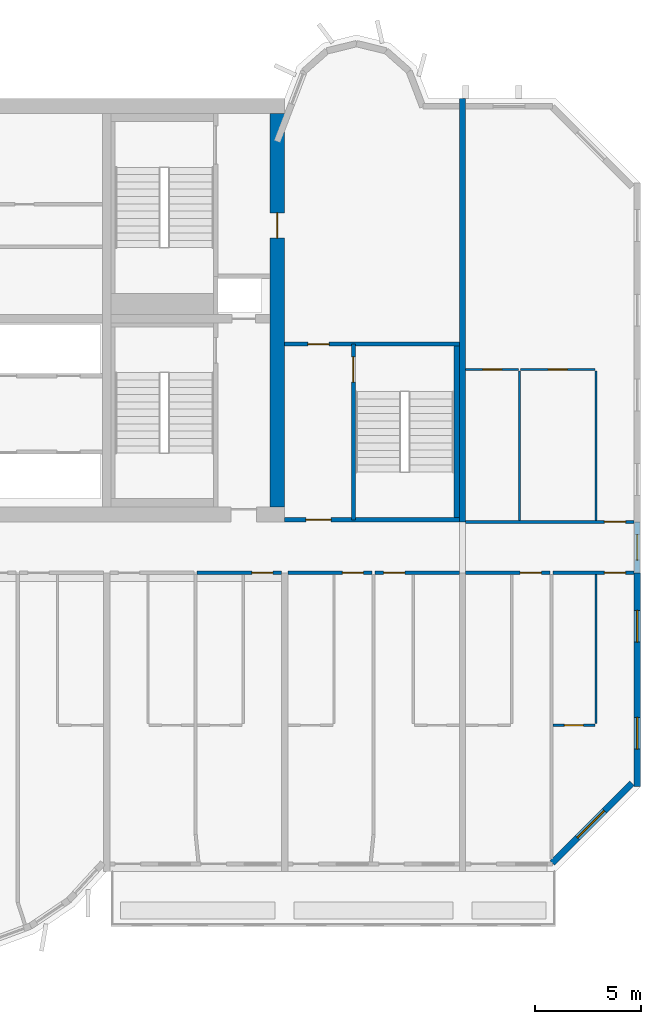
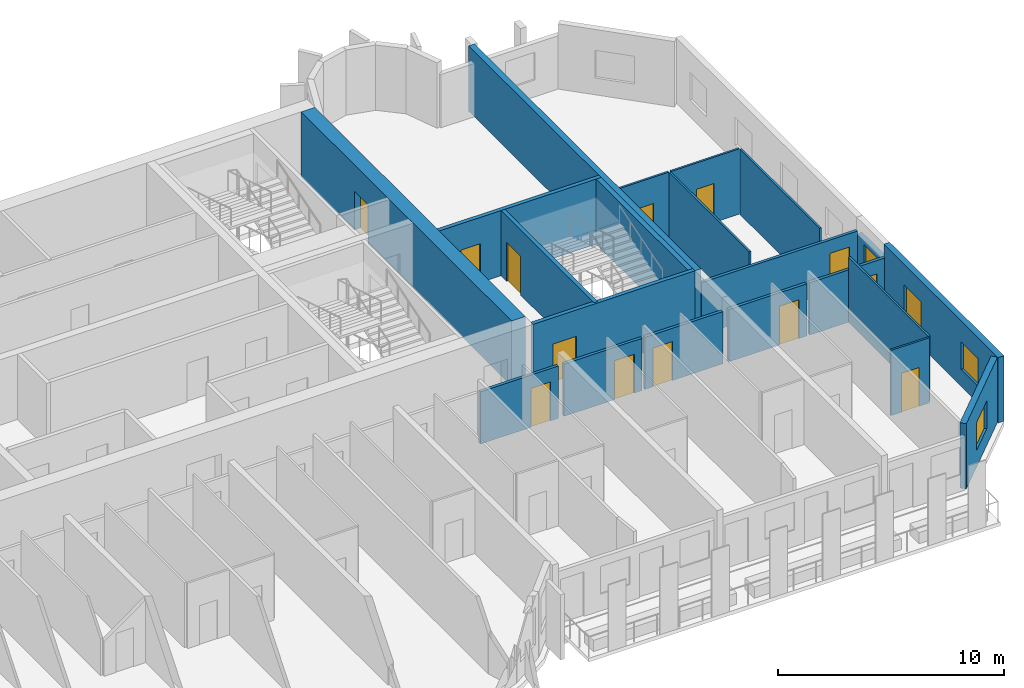
# One storey, part 9 of 13: 21 walls, 13 doors, 4 windows, 17 openings.
"""IFC4 building model written with IfcOpenShell, lengths in metres."""

import ifcopenshell
import ifcopenshell.guid

model = None  # the IFC model being written
_history = None  # IfcOwnerHistory: only IFC2X3 demands one
_inside = {}  # id of a spatial element -> (the spatial element, [elements in it])
_under = {}  # id of a project, library or spatial element -> (it, [spatial elements below it])
_declared = {}  # id of a project -> (the project, [libraries it declares])
_typed = {}  # id of a type object -> (the type object, [elements of that type])
_made_of = {}  # id of a material, layer set ... -> (it, [elements and type objects made of it])


def new_model(schema):
    """Start an empty IFC model of exactly this schema.

    Asked for "IFC4X3", IfcOpenShell would pick the latest addendum, in which some entities
    have other attributes; the version numbers below select the first issue.
    IFC2X3 requires an IfcOwnerHistory on every rooted entity: one is made here for all.
    """
    global model, _history
    if schema == "IFC4X3":
        model = ifcopenshell.file(schema_version=(4, 3, 0, 0))
    else:
        model = ifcopenshell.file(schema=schema)
    _inside.clear()
    _under.clear()
    _declared.clear()
    _typed.clear()
    _made_of.clear()
    _history = None
    if model.schema == "IFC2X3":
        org = make("IfcOrganization", Name="unknown")
        user = make(
            "IfcPersonAndOrganization",
            ThePerson=make("IfcPerson", FamilyName="unknown"),
            TheOrganization=org,
        )
        app = make(
            "IfcApplication",
            ApplicationDeveloper=org,
            Version="unknown",
            ApplicationFullName="unknown",
            ApplicationIdentifier="unknown",
        )
        _history = make(
            "IfcOwnerHistory",
            OwningUser=user,
            OwningApplication=app,
            ChangeAction="ADDED",
            CreationDate=0,
        )
    return model


def make(cls, **values):
    """One entity of the class cls with the attributes given. An attribute that is None is left unset."""
    return model.create_entity(
        cls, **{name: value for name, value in values.items() if value is not None}
    )


def rooted(cls, **values):
    """An entity with a GlobalId (a new one), such as an element, a storey or a relation."""
    return make(cls, GlobalId=ifcopenshell.guid.new(), OwnerHistory=_history, **values)


def si_unit(unit_type, name, prefix=None):
    """IfcSIUnit, for example si_unit("LENGTHUNIT", "METRE", prefix="MILLI")."""
    return make("IfcSIUnit", UnitType=unit_type, Prefix=prefix, Name=name)


def assignment(units):
    """IfcUnitAssignment: the units of a project."""
    return None if units is None else make("IfcUnitAssignment", Units=units)


def point(xyz):
    """IfcCartesianPoint."""
    return None if xyz is None else make("IfcCartesianPoint", Coordinates=xyz)


def direction(xyz):
    """IfcDirection."""
    return None if xyz is None else make("IfcDirection", DirectionRatios=xyz)


def frame(location, z_axis=None, x_axis=None):
    """IfcAxis2Placement3D, a coordinate frame: its origin and axes. An axis left out is left unset."""
    return make(
        "IfcAxis2Placement3D",
        Location=point(location),
        Axis=direction(z_axis),
        RefDirection=direction(x_axis),
    )


def frame_2d(location, x_axis=None):
    """IfcAxis2Placement2D, a coordinate frame in the plane: its origin and x axis."""
    return make(
        "IfcAxis2Placement2D", Location=point(location), RefDirection=direction(x_axis)
    )


def origin():
    """The frame at (0, 0, 0) with its axes left unset."""
    return frame((0.0, 0.0, 0.0))


def place(relative_to, where):
    """IfcLocalPlacement: puts the frame where relative to a parent placement (None: the world)."""
    return make(
        "IfcLocalPlacement", PlacementRelTo=relative_to, RelativePlacement=where
    )


def context(
    kind, dimensions, precision=None, world=None, true_north=None, identifier=None
):
    """IfcGeometricRepresentationContext, for example the 3D "Model" context."""
    return make(
        "IfcGeometricRepresentationContext",
        ContextIdentifier=identifier,
        ContextType=kind,
        CoordinateSpaceDimension=dimensions,
        Precision=precision,
        WorldCoordinateSystem=world,
        TrueNorth=true_north,
    )


def subcontext(parent, identifier, kind, view, scale=None):
    """IfcGeometricRepresentationSubContext, for example "Body" below "Model"."""
    return make(
        "IfcGeometricRepresentationSubContext",
        ContextIdentifier=identifier,
        ContextType=kind,
        ParentContext=parent,
        TargetScale=scale,
        TargetView=view,
    )


def project(units=None, contexts=None):
    """IfcProject with its units and contexts."""
    return rooted(
        "IfcProject",
        Name="project",
        RepresentationContexts=contexts,
        UnitsInContext=assignment(units),
    )


def spatial(cls, under=None, at=None, **own):
    """A site, building, storey or space (cls), placed at a placement, below another one or the project."""
    s = rooted(cls, ObjectPlacement=at, **own)
    if under is not None:
        _under.setdefault(under.id(), (under, []))[1].append(s)
    return s


def profile(cls, at=None, kind="AREA", **sizes):
    """A parametric profile (cls). Its sizes go by their IFC names, for example OverallWidth=200.0."""
    return make(cls, ProfileType=kind, Position=at, **sizes)


def rectangle(**sizes):
    """IfcRectangleProfileDef."""
    return profile("IfcRectangleProfileDef", **sizes)


def extrude(swept, where, along, depth):
    """IfcExtrudedAreaSolid: the profile swept, set in the frame where, extruded along a direction by depth."""
    return make(
        "IfcExtrudedAreaSolid",
        SweptArea=swept,
        Position=where,
        ExtrudedDirection=direction(along),
        Depth=depth,
    )


def shape(context_of_items, identifier, shape_type, items):
    """IfcShapeRepresentation: the items that make up one representation, for example the "Body"."""
    return make(
        "IfcShapeRepresentation",
        ContextOfItems=context_of_items,
        RepresentationIdentifier=identifier,
        RepresentationType=shape_type,
        Items=items,
    )


def source(mapping_origin, context_of_items, identifier, shape_type, items):
    """IfcRepresentationMap: a shape defined once, which mapped items show again and again."""
    return make(
        "IfcRepresentationMap",
        MappingOrigin=mapping_origin,
        MappedRepresentation=shape(context_of_items, identifier, shape_type, items),
    )


def transform(
    local_origin,
    x_axis=None,
    y_axis=None,
    z_axis=None,
    scale=None,
    scale2=None,
    scale3=None,
    uniform=True,
):
    """IfcCartesianTransformationOperator3D, or its non-uniform kind. x_axis, y_axis, z_axis: its Axis1, 2, 3."""
    if uniform:
        return make(
            "IfcCartesianTransformationOperator3D",
            Axis1=direction(x_axis),
            Axis2=direction(y_axis),
            LocalOrigin=point(local_origin),
            Scale=scale,
            Axis3=direction(z_axis),
        )
    return make(
        "IfcCartesianTransformationOperator3DnonUniform",
        Axis1=direction(x_axis),
        Axis2=direction(y_axis),
        LocalOrigin=point(local_origin),
        Scale=scale,
        Axis3=direction(z_axis),
        Scale2=scale2,
        Scale3=scale3,
    )


def mapped(mapping_source, mapping_target):
    """IfcMappedItem: shows the shape of a source again, moved by a transform."""
    return make(
        "IfcMappedItem", MappingSource=mapping_source, MappingTarget=mapping_target
    )


def material(Name=None, Category=None):
    """IfcMaterial."""
    return make("IfcMaterial", Name=Name, Category=Category)


def layer(
    of_material, thickness, ventilated=None, Name=None, Category=None, Priority=None
):
    """IfcMaterialLayer: one layer of a wall or slab, of a material (None: an air gap)."""
    return make(
        "IfcMaterialLayer",
        Material=of_material,
        LayerThickness=thickness,
        IsVentilated=ventilated,
        Name=Name,
        Category=Category,
        Priority=Priority,
    )


def layer_set(layers, Name=None):
    """IfcMaterialLayerSet."""
    return make("IfcMaterialLayerSet", MaterialLayers=layers, LayerSetName=Name)


def made_of(thing, what):
    """Note that an element or type object is made of a material, layer set ...; save() writes the relation."""
    if what is not None:
        _made_of.setdefault(what.id(), (what, []))[1].append(thing)
    return thing


def type_object(cls, material=None, **own):
    """A type object (cls), such as IfcWallType, which elements share."""
    return made_of(rooted(cls, **own), material)


def element(
    cls,
    number,
    at=None,
    inside=None,
    cuts=None,
    type_object=None,
    material=None,
    context=None,
    identifier="Body",
    shape_type=None,
    held_by="IfcProductDefinitionShape",
    body=None,
    shapes=None,
    **own,
):
    """One element of the class cls, such as IfcWall. Its Tag is "e" and its number.

    at: its placement. inside: the storey or other place that contains it. cuts: it is an
    opening in that element (IfcRelVoidsElement). A single representation is given by context,
    identifier, shape_type and body (its items); several are given by shapes. held_by: the class
    of the entity that holds the representations. save() writes the other relations.
    """
    e = rooted(cls, Tag="e%d" % number, ObjectPlacement=at, **own)
    if body is not None:
        shapes = [shape(context, identifier, shape_type, body)]
    if shapes is not None:
        e.Representation = make(held_by, Representations=shapes)
    if inside is not None:
        _inside.setdefault(inside.id(), (inside, []))[1].append(e)
    if cuts is not None:
        rooted(
            "IfcRelVoidsElement", RelatingBuildingElement=cuts, RelatedOpeningElement=e
        )
    if type_object is not None:
        _typed.setdefault(type_object.id(), (type_object, []))[1].append(e)
    return made_of(e, material)


def fill(opening, filler):
    """IfcRelFillsElement: the door or window that sits in an opening."""
    return rooted(
        "IfcRelFillsElement",
        RelatingOpeningElement=opening,
        RelatedBuildingElement=filler,
    )


def aggregate(whole, parts):
    """IfcRelAggregates: a whole, such as a stair, and the parts it consists of."""
    return rooted("IfcRelAggregates", RelatingObject=whole, RelatedObjects=parts)


def save(model, path):
    """Write the relations noted so far, then the file.

    IfcRelAggregates (storeys below a building ...), IfcRelContainedInSpatialStructure (elements
    in a storey), IfcRelDefinesByType, IfcRelAssociatesMaterial and IfcRelDeclares: one each for
    every whole, place, type object, material and project.
    """
    for whole, parts in _under.values():
        aggregate(whole, parts)
    for where, things in _inside.values():
        rooted(
            "IfcRelContainedInSpatialStructure",
            RelatedElements=things,
            RelatingStructure=where,
        )
    for kind, things in _typed.values():
        rooted("IfcRelDefinesByType", RelatedObjects=things, RelatingType=kind)
    for what, things in _made_of.values():
        rooted("IfcRelAssociatesMaterial", RelatedObjects=things, RelatingMaterial=what)
    for by, libraries in _declared.values():
        rooted("IfcRelDeclares", RelatingContext=by, RelatedDefinitions=libraries)
    model.write(path)


model = new_model("IFC4")

# Units and contexts
model_context = context("Model", 3, precision=1e-05, world=origin(), true_north=direction((0.0, 1.0)))
body_context = subcontext(model_context, "Body", "Model", "MODEL_VIEW")
ifc_project = project(units=[si_unit("LENGTHUNIT", "METRE"), si_unit("AREAUNIT", "SQUARE_METRE"), si_unit("VOLUMEUNIT", "CUBIC_METRE"), si_unit("PLANEANGLEUNIT", "RADIAN"), si_unit("MASSUNIT", "GRAM", prefix="KILO")], contexts=[model_context])

# Site, building, storey
site_placement = place(None, origin())
site = spatial("IfcSite", under=ifc_project, at=site_placement, CompositionType="ELEMENT")
building_placement = place(site_placement, origin())
building = spatial("IfcBuilding", under=site, at=building_placement, Name="Vanashikhar Sky Hotel", CompositionType="ELEMENT")
storey_placement = place(building_placement, frame((0.0, 0.0, 174.39990234375)))
storey = spatial("IfcBuildingStorey", under=building, at=storey_placement, Name="L42", CompositionType="ELEMENT", Elevation=174.39990234375)

# Wall, opening, door
ifc_material_1 = material(Name="Concrete M60", Category="concrete")
ifc_layer_1 = layer(ifc_material_1, 0.699951171875)
ifc_layer_set_1 = layer_set([ifc_layer_1], Name="RC core shell wall 700 Concrete M60")
wall_type_1 = type_object("IfcWallType", Name="RC core shell wall 700 Concrete M60", PredefinedType="SHEAR", material=ifc_layer_set_1)
shared_shape_1 = source(origin(), body_context, "Body", "SweptSolid", [
    extrude(rectangle(XDim=18.60009765625, YDim=0.699951171875, at=frame_2d((9.300048828125, 0.0))), origin(), (0.0, 0.0, 1.0), 3.52001953125),
])
wall_1_placement = place(storey_placement, frame((75.25, 22.699951171875, 0.0), z_axis=(0.0, 0.0, 1.0), x_axis=(0.0, 1.0, 0.0)))
wall_1 = element("IfcWall", 1, at=wall_1_placement, inside=storey, type_object=wall_type_1, Name="KW-L42-KE", PredefinedType="SHEAR", context=body_context, shape_type="MappedRepresentation", body=[
    mapped(shared_shape_1, transform((0.0, 0.0, 0.0), scale=1.0)),
])
shared_shape_2 = source(origin(), body_context, "Body", "SweptSolid", [
    extrude(rectangle(XDim=1.199951171875, YDim=2.10009765625, at=frame_2d((0.60009765625, 1.050048828125))), frame((0.0, 0.35986328125, 0.0), z_axis=(0.0, -1.0, 0.0), x_axis=(1.0, 0.0, 0.0)), (0.0, 0.0, 1.0), 0.719970703125),
])
opening_1_placement = place(wall_1_placement, frame((12.699951171875, 0.0, 0.0)))
opening_1 = element("IfcOpeningElement", 2, at=opening_1_placement, cuts=wall_1, Name="Opening DC-4-D", PredefinedType="OPENING", context=body_context, shape_type="MappedRepresentation", body=[
    mapped(shared_shape_2, transform((0.0, 0.0, 0.0), scale=1.0)),
])
ifc_material_2 = material(Name="Steel", Category="steel")
door_type_1 = type_object("IfcDoorType", Name="Service door 1200 FD120", OperationType="NOTDEFINED", PredefinedType="DOOR", material=ifc_material_2)
shared_shape_3 = source(origin(), body_context, "Body", "SweptSolid", [
    extrude(rectangle(XDim=1.199951171875, YDim=2.10009765625, at=frame_2d((0.60009765625, 1.050048828125))), frame((0.0, 0.02490234375, 0.0), z_axis=(0.0, -1.0, 0.0), x_axis=(1.0, 0.0, 0.0)), (0.0, 0.0, 1.0), 0.050048828125),
])
door_1_placement = place(opening_1_placement, origin())
door_1 = element("IfcDoor", 3, at=door_1_placement, inside=storey, type_object=door_type_1, Name="Service door 1200 FD120", OperationType="SINGLE_SWING_LEFT", OverallHeight=2.10009765625, OverallWidth=1.199951171875, PredefinedType="DOOR", context=body_context, shape_type="MappedRepresentation", body=[
    mapped(shared_shape_3, transform((0.0, 0.0, 0.0), scale=1.0)),
])
fill(opening_1, door_1)

# Wall, openings, windows
ifc_layer_2 = layer(ifc_material_1, 0.300048828125)
ifc_layer_set_2 = layer_set([ifc_layer_2], Name="RC shear wall 300 Concrete M60")
wall_type_2 = type_object("IfcWallType", Name="RC shear wall 300 Concrete M60", PredefinedType="SHEAR", material=ifc_layer_set_2)
shared_shape_4 = source(origin(), body_context, "Body", "SweptSolid", [
    extrude(rectangle(XDim=10.10009765625, YDim=0.300048828125, at=frame_2d((5.050048828125, 0.0))), origin(), (0.0, 0.0, 1.0), 3.52001953125),
])
wall_2_placement = place(storey_placement, frame((92.25, 9.5, 0.0), z_axis=(0.0, 0.0, 1.0), x_axis=(0.0, 1.0, 0.0)))
wall_2 = element("IfcWall", 4, at=wall_2_placement, inside=storey, type_object=wall_type_2, Name="CW-L42-XW12-1", PredefinedType="SHEAR", context=body_context, shape_type="MappedRepresentation", body=[
    mapped(shared_shape_4, transform((0.0, 0.0, 0.0), scale=1.0)),
])
shared_shape_5 = source(origin(), body_context, "Body", "SweptSolid", [
    extrude(rectangle(XDim=1.5, YDim=1.5, at=frame_2d((0.75, 0.75))), frame((0.0, 0.16015625, 0.0), z_axis=(0.0, -1.0, 0.0), x_axis=(1.0, 0.0, 0.0)), (0.0, 0.0, 1.0), 0.320068359375),
])
opening_2_placement = place(wall_2_placement, frame((1.77490234375, 0.0, 0.89990234375)))
opening_2 = element("IfcOpeningElement", 5, at=opening_2_placement, cuts=wall_2, Name="Opening WN-1", PredefinedType="OPENING", context=body_context, shape_type="MappedRepresentation", body=[
    mapped(shared_shape_5, transform((0.0, 0.0, 0.0), scale=1.0)),
])
opening_3_placement = place(wall_2_placement, frame((6.824951171875, 0.0, 0.89990234375)))
opening_3 = element("IfcOpeningElement", 6, at=opening_3_placement, cuts=wall_2, Name="Opening WN-1", PredefinedType="OPENING", context=body_context, shape_type="MappedRepresentation", body=[
    mapped(shared_shape_5, transform((0.0, 0.0, 0.0), scale=1.0)),
])
ifc_material_3 = material(Name="Glass", Category="glass")
window_type_1 = type_object("IfcWindowType", Name="Window 1500 x 1500", PartitioningType="SINGLE_PANEL", PredefinedType="WINDOW", material=ifc_material_3)
shared_shape_6 = source(origin(), body_context, "Body", "SweptSolid", [
    extrude(rectangle(XDim=1.5, YDim=1.5, at=frame_2d((0.75, 0.75))), frame((0.0, 0.030029296875, 0.0), z_axis=(0.0, -1.0, 0.0), x_axis=(1.0, 0.0, 0.0)), (0.0, 0.0, 1.0), 0.06005859375),
])
window_1_placement = place(opening_2_placement, origin())
window_1 = element("IfcWindow", 7, at=window_1_placement, inside=storey, type_object=window_type_1, Name="Window WN-1", OverallHeight=1.5, OverallWidth=1.5, PartitioningType="SINGLE_PANEL", PredefinedType="WINDOW", context=body_context, shape_type="MappedRepresentation", body=[
    mapped(shared_shape_6, transform((0.0, 0.0, 0.0), scale=1.0)),
])
fill(opening_2, window_1)
window_2_placement = place(opening_3_placement, origin())
window_2 = element("IfcWindow", 8, at=window_2_placement, inside=storey, type_object=window_type_1, Name="Window WN-1", OverallHeight=1.5, OverallWidth=1.5, PartitioningType="SINGLE_PANEL", PredefinedType="WINDOW", context=body_context, shape_type="MappedRepresentation", body=[
    mapped(shared_shape_6, transform((0.0, 0.0, 0.0), scale=1.0)),
])
fill(opening_3, window_2)

# Wall
shared_shape_7 = source(origin(), body_context, "Body", "SweptSolid", [
    extrude(rectangle(XDim=20.0, YDim=0.300048828125, at=frame_2d((10.0, 0.0))), origin(), (0.0, 0.0, 1.0), 3.52001953125),
])
wall_3_placement = place(storey_placement, frame((84.0, 22.0, 0.0), z_axis=(0.0, 0.0, 1.0), x_axis=(0.0, 1.0, 0.0)))
element("IfcWall", 9, at=wall_3_placement, inside=storey, type_object=wall_type_2, Name="CW-L42-XW11-2", PredefinedType="SHEAR", context=body_context, shape_type="MappedRepresentation", body=[
    mapped(shared_shape_7, transform((0.0, 0.0, 0.0), scale=1.0)),
])

# Wall, opening, window
ifc_material_4 = material(Name="Concrete M50", Category="concrete")
ifc_layer_3 = layer(ifc_material_4, 0.300048828125)
ifc_layer_set_3 = layer_set([ifc_layer_3], Name="Lobe wall 300")
wall_type_3 = type_object("IfcWallType", Name="Lobe wall 300", PredefinedType="SOLIDWALL", material=ifc_layer_set_3)
shared_shape_8 = source(origin(), body_context, "Body", "SweptSolid", [
    extrude(rectangle(XDim=5.32568359375, YDim=0.300048828125, at=frame_2d((2.662841796875, 0.0))), origin(), (0.0, 0.0, 1.0), 3.52001953125),
])
wall_4_placement = place(storey_placement, frame((88.234375, 5.89990234375, 0.0), z_axis=(0.0, 0.0, 1.0), x_axis=(0.707083859269, 0.707129702361, 0.0)))
wall_4 = element("IfcWall", 10, at=wall_4_placement, inside=storey, type_object=wall_type_3, Name="Corner wall", PredefinedType="SOLIDWALL", context=body_context, shape_type="MappedRepresentation", body=[
    mapped(shared_shape_8, transform((0.0, 0.0, 0.0), scale=1.0)),
])
shared_shape_9 = source(origin(), body_context, "Body", "SweptSolid", [
    extrude(rectangle(XDim=1.800048828125, YDim=1.5, at=frame_2d((0.89990234375, 0.75))), frame((0.0, 0.16015625, 0.0), z_axis=(0.0, -1.0, 0.0), x_axis=(1.0, 0.0, 0.0)), (0.0, 0.0, 1.0), 0.320068359375),
])
opening_4_placement = place(wall_4_placement, frame((1.689453125, 0.0, 0.89990234375)))
opening_4 = element("IfcOpeningElement", 11, at=opening_4_placement, cuts=wall_4, Name="Opening WN-4", PredefinedType="OPENING", context=body_context, shape_type="MappedRepresentation", body=[
    mapped(shared_shape_9, transform((0.0, 0.0, 0.0), scale=1.0)),
])
window_type_2 = type_object("IfcWindowType", Name="Corner window 1800 x 1500", PartitioningType="SINGLE_PANEL", PredefinedType="WINDOW", material=ifc_material_3)
shared_shape_10 = source(origin(), body_context, "Body", "SweptSolid", [
    extrude(rectangle(XDim=1.800048828125, YDim=1.5, at=frame_2d((0.89990234375, 0.75))), frame((0.0, 0.030029296875, 0.0), z_axis=(0.0, -1.0, 0.0), x_axis=(1.0, 0.0, 0.0)), (0.0, 0.0, 1.0), 0.06005859375),
])
window_3_placement = place(opening_4_placement, origin())
window_3 = element("IfcWindow", 12, at=window_3_placement, inside=storey, type_object=window_type_2, Name="Window WN-4", OverallHeight=1.5, OverallWidth=1.800048828125, PartitioningType="SINGLE_PANEL", PredefinedType="WINDOW", context=body_context, shape_type="MappedRepresentation", body=[
    mapped(shared_shape_10, transform((0.0, 0.0, 0.0), scale=1.0)),
])
fill(opening_4, window_3)

ifc_layer_4 = layer(ifc_material_4, 0.25)
ifc_layer_set_4 = layer_set([ifc_layer_4], Name="Rear and end board-marked wall 250")
wall_type_4 = type_object("IfcWallType", Name="Rear and end board-marked wall 250", PredefinedType="SOLIDWALL", material=ifc_layer_set_4)
shared_shape_11 = source(origin(), body_context, "Body", "SweptSolid", [
    extrude(rectangle(XDim=2.39990234375, YDim=0.25, at=frame_2d((1.199951171875, 0.0))), origin(), (0.0, 0.0, 1.0), 2.6201171875),
])
wall_5_placement = place(storey_placement, frame((92.25, 19.60009765625, 0.0), z_axis=(0.0, 0.0, 1.0), x_axis=(0.0, 1.0, 0.0)))
wall_5 = element("IfcWall", 13, at=wall_5_placement, inside=storey, type_object=wall_type_4, Name="End corridor infill wall", PredefinedType="SOLIDWALL", context=body_context, shape_type="MappedRepresentation", body=[
    mapped(shared_shape_11, transform((0.0, 0.0, 0.0), scale=1.0)),
])
shared_shape_12 = source(origin(), body_context, "Body", "SweptSolid", [
    extrude(rectangle(XDim=1.199951171875, YDim=1.5, at=frame_2d((0.60009765625, 0.75))), frame((0.0, 0.135009765625, 0.0), z_axis=(0.0, -1.0, 0.0), x_axis=(1.0, 0.0, 0.0)), (0.0, 0.0, 1.0), 0.27001953125),
])
opening_5_placement = place(wall_5_placement, frame((0.60009765625, 0.0, 0.89990234375)))
opening_5 = element("IfcOpeningElement", 14, at=opening_5_placement, cuts=wall_5, Name="Opening WN-3", PredefinedType="OPENING", context=body_context, shape_type="MappedRepresentation", body=[
    mapped(shared_shape_12, transform((0.0, 0.0, 0.0), scale=1.0)),
])
window_type_3 = type_object("IfcWindowType", Name="Corridor end window 1200 x 1500", PartitioningType="SINGLE_PANEL", PredefinedType="WINDOW", material=ifc_material_3)
shared_shape_13 = source(origin(), body_context, "Body", "SweptSolid", [
    extrude(rectangle(XDim=1.199951171875, YDim=1.5, at=frame_2d((0.60009765625, 0.75))), frame((0.0, 0.030029296875, 0.0), z_axis=(0.0, -1.0, 0.0), x_axis=(1.0, 0.0, 0.0)), (0.0, 0.0, 1.0), 0.06005859375),
])
window_4_placement = place(opening_5_placement, origin())
window_4 = element("IfcWindow", 15, at=window_4_placement, inside=storey, type_object=window_type_3, Name="Window WN-3", OverallHeight=1.5, OverallWidth=1.199951171875, PartitioningType="SINGLE_PANEL", PredefinedType="WINDOW", context=body_context, shape_type="MappedRepresentation", body=[
    mapped(shared_shape_13, transform((0.0, 0.0, 0.0), scale=1.0)),
])
fill(opening_5, window_4)

# Wall, opening, door
ifc_layer_5 = layer(ifc_material_4, 0.199951171875)
ifc_layer_set_5 = layer_set([ifc_layer_5], Name="Stair wall 200")
wall_type_5 = type_object("IfcWallType", Name="Stair wall 200", PredefinedType="SOLIDWALL", material=ifc_layer_set_5)
shared_shape_14 = source(origin(), body_context, "Body", "SweptSolid", [
    extrude(rectangle(XDim=8.2998046875, YDim=0.199951171875, at=frame_2d((4.14990234375, 0.0))), origin(), (0.0, 0.0, 1.0), 3.52001953125),
])
wall_6_placement = place(storey_placement, frame((78.85009765625, 22.10009765625, 0.0), z_axis=(0.0, 0.0, 1.0), x_axis=(0.0, 1.0, 0.0)))
wall_6 = element("IfcWall", 16, at=wall_6_placement, inside=storey, type_object=wall_type_5, Name="Stair wall 200", PredefinedType="SOLIDWALL", context=body_context, shape_type="MappedRepresentation", body=[
    mapped(shared_shape_14, transform((0.0, 0.0, 0.0), scale=1.0)),
])
shared_shape_15 = source(origin(), body_context, "Body", "SweptSolid", [
    extrude(rectangle(XDim=1.199951171875, YDim=2.10009765625, at=frame_2d((0.60009765625, 1.050048828125))), frame((0.0, 0.10986328125, 0.0), z_axis=(0.0, -1.0, 0.0), x_axis=(1.0, 0.0, 0.0)), (0.0, 0.0, 1.0), 0.219970703125),
])
opening_6_placement = place(wall_6_placement, frame((6.5, 0.0, 0.0)))
opening_6 = element("IfcOpeningElement", 17, at=opening_6_placement, cuts=wall_6, Name="Opening DC-1", PredefinedType="OPENING", context=body_context, shape_type="MappedRepresentation", body=[
    mapped(shared_shape_15, transform((0.0, 0.0, 0.0), scale=1.0)),
])
door_type_2 = type_object("IfcDoorType", Name="Stair door 1200 FD120", OperationType="NOTDEFINED", PredefinedType="DOOR", material=ifc_material_2)
door_2_placement = place(opening_6_placement, origin())
door_2 = element("IfcDoor", 18, at=door_2_placement, inside=storey, type_object=door_type_2, Name="Stair door 1200 FD120", OperationType="SINGLE_SWING_LEFT", OverallHeight=2.10009765625, OverallWidth=1.199951171875, PredefinedType="DOOR", context=body_context, shape_type="MappedRepresentation", body=[
    mapped(shared_shape_3, transform((0.0, 0.0, 0.0), scale=1.0)),
])
fill(opening_6, door_2)

shared_shape_16 = source(origin(), body_context, "Body", "SweptSolid", [
    extrude(rectangle(XDim=8.25, YDim=0.199951171875, at=frame_2d((4.125, 0.0))), origin(), (0.0, 0.0, 1.0), 3.52001953125),
])
wall_7_placement = place(storey_placement, frame((83.85009765625, 22.10009765625, 0.0), z_axis=(0.0, 0.0, 1.0), x_axis=(-1.0, 0.0, 0.0)))
wall_7 = element("IfcWall", 19, at=wall_7_placement, inside=storey, type_object=wall_type_5, Name="Stair wall 200", PredefinedType="SOLIDWALL", context=body_context, shape_type="MappedRepresentation", body=[
    mapped(shared_shape_16, transform((0.0, 0.0, 0.0), scale=1.0)),
])
opening_7_placement = place(wall_7_placement, frame((6.050048828125, 0.0, 0.0)))
opening_7 = element("IfcOpeningElement", 20, at=opening_7_placement, cuts=wall_7, Name="Opening DC-2", PredefinedType="OPENING", context=body_context, shape_type="MappedRepresentation", body=[
    mapped(shared_shape_15, transform((0.0, 0.0, 0.0), scale=1.0)),
])
door_type_3 = type_object("IfcDoorType", Name="Firefighting lobby door 1200 FD120", OperationType="NOTDEFINED", PredefinedType="DOOR", material=ifc_material_2)
door_3_placement = place(opening_7_placement, origin())
door_3 = element("IfcDoor", 21, at=door_3_placement, inside=storey, type_object=door_type_3, Name="Firefighting lobby door 1200 FD120", OperationType="SINGLE_SWING_LEFT", OverallHeight=2.10009765625, OverallWidth=1.199951171875, PredefinedType="DOOR", context=body_context, shape_type="MappedRepresentation", body=[
    mapped(shared_shape_3, transform((0.0, 0.0, 0.0), scale=1.0)),
])
fill(opening_7, door_3)

wall_8_placement = place(storey_placement, frame((83.85009765625, 30.39990234375, 0.0), z_axis=(0.0, 0.0, 1.0), x_axis=(-1.0, 0.0, 0.0)))
wall_8 = element("IfcWall", 22, at=wall_8_placement, inside=storey, type_object=wall_type_5, Name="Stair wall 200", PredefinedType="SOLIDWALL", context=body_context, shape_type="MappedRepresentation", body=[
    mapped(shared_shape_16, transform((0.0, 0.0, 0.0), scale=1.0)),
])
shared_shape_17 = source(origin(), body_context, "Body", "SweptSolid", [
    extrude(rectangle(XDim=1.0, YDim=2.10009765625, at=frame_2d((0.5, 1.050048828125))), frame((0.0, 0.10986328125, 0.0), z_axis=(0.0, -1.0, 0.0), x_axis=(1.0, 0.0, 0.0)), (0.0, 0.0, 1.0), 0.219970703125),
])
opening_8_placement = place(wall_8_placement, frame((6.14990234375, 0.0, 0.0)))
opening_8 = element("IfcOpeningElement", 23, at=opening_8_placement, cuts=wall_8, Name="Opening DC-6", PredefinedType="OPENING", context=body_context, shape_type="MappedRepresentation", body=[
    mapped(shared_shape_17, transform((0.0, 0.0, 0.0), scale=1.0)),
])
door_type_4 = type_object("IfcDoorType", Name="Pocket door 1000 FD60", OperationType="NOTDEFINED", PredefinedType="DOOR", material=ifc_material_2)
shared_shape_18 = source(origin(), body_context, "Body", "SweptSolid", [
    extrude(rectangle(XDim=1.0, YDim=2.10009765625, at=frame_2d((0.5, 1.050048828125))), frame((0.0, 0.02490234375, 0.0), z_axis=(0.0, -1.0, 0.0), x_axis=(1.0, 0.0, 0.0)), (0.0, 0.0, 1.0), 0.050048828125),
])
door_4_placement = place(opening_8_placement, origin())
door_4 = element("IfcDoor", 24, at=door_4_placement, inside=storey, type_object=door_type_4, Name="Pocket door 1000 FD60", OperationType="SINGLE_SWING_LEFT", OverallHeight=2.10009765625, OverallWidth=1.0, PredefinedType="DOOR", context=body_context, shape_type="MappedRepresentation", body=[
    mapped(shared_shape_18, transform((0.0, 0.0, 0.0), scale=1.0)),
])
fill(opening_8, door_4)

# Walls
ifc_layer_6 = layer(ifc_material_4, 0.25)
ifc_layer_set_6 = layer_set([ifc_layer_6], Name="Stair infill wall 250")
wall_type_6 = type_object("IfcWallType", Name="Stair infill wall 250", PredefinedType="SOLIDWALL", material=ifc_layer_set_6)
shared_shape_19 = source(origin(), body_context, "Body", "SweptSolid", [
    extrude(rectangle(XDim=8.10009765625, YDim=0.25, at=frame_2d((4.050048828125, 0.0))), origin(), (0.0, 0.0, 1.0), 3.52001953125),
])
wall_9_placement = place(storey_placement, frame((83.72509765625, 22.199951171875, 0.0), z_axis=(0.0, 0.0, 1.0), x_axis=(0.0, 1.0, 0.0)))
element("IfcWall", 25, at=wall_9_placement, inside=storey, type_object=wall_type_6, Name="Stair infill wall 250", PredefinedType="SOLIDWALL", context=body_context, shape_type="MappedRepresentation", body=[
    mapped(shared_shape_19, transform((0.0, 0.0, 0.0), scale=1.0)),
])
ifc_material_5 = material(Name="Gypsum plasterboard partition")
ifc_layer_7 = layer(ifc_material_5, 0.10009765625)
ifc_layer_set_7 = layer_set([ifc_layer_7], Name="Wet room partition 100")
wall_type_7 = type_object("IfcWallType", Name="Wet room partition 100", PredefinedType="PARTITIONING", material=ifc_layer_set_7)
shared_shape_20 = source(origin(), body_context, "Body", "SweptSolid", [
    extrude(rectangle(XDim=7.0498046875, YDim=0.10009765625, at=frame_2d((3.52490234375, 0.0))), origin(), (0.0, 0.0, 1.0), 3.52001953125),
])
wall_10_placement = place(storey_placement, frame((90.300048828125, 12.47509765625, 0.0), z_axis=(0.0, 0.0, 1.0), x_axis=(0.0, 1.0, 0.0)))
element("IfcWall", 26, at=wall_10_placement, inside=storey, type_object=wall_type_7, Name="W-L42-PW065", PredefinedType="PARTITIONING", context=body_context, shape_type="MappedRepresentation", body=[
    mapped(shared_shape_20, transform((0.0, 0.0, 0.0), scale=1.0)),
])
shared_shape_21 = source(origin(), body_context, "Body", "SweptSolid", [
    extrude(rectangle(XDim=7.050048828125, YDim=0.10009765625, at=frame_2d((3.52490234375, 0.0))), origin(), (0.0, 0.0, 1.0), 3.52001953125),
])
for number, where, z_axis, x_axis, name in (
    (27, (90.300048828125, 22.074951171875, 0.0), (0.0, 0.0, 1.0), (0.0, 1.0, 0.0), "W-L42-PW078"),
    (28, (86.699951171875, 22.074951171875, 0.0), (0.0, 0.0, 1.0), (0.0, 1.0, 0.0), "W-L42-PW079"),
):
    element("IfcWall", number, at=place(storey_placement, frame(where, z_axis=z_axis, x_axis=x_axis)), inside=storey, type_object=wall_type_7, Name=name, PredefinedType="PARTITIONING", context=body_context, shape_type="MappedRepresentation", body=[
        mapped(shared_shape_21, transform((0.0, 0.0, 0.0), scale=1.0)),
    ])

# Wall, opening, door
shared_shape_22 = source(origin(), body_context, "Body", "SweptSolid", [
    extrude(rectangle(XDim=3.5, YDim=0.10009765625, at=frame_2d((1.75, 0.0))), origin(), (0.0, 0.0, 1.0), 3.52001953125),
])
wall_11_placement = place(storey_placement, frame((86.75, 29.199951171875, 0.0), z_axis=(0.0, 0.0, 1.0), x_axis=(1.0, 0.0, 0.0)))
wall_11 = element("IfcWall", 29, at=wall_11_placement, inside=storey, type_object=wall_type_7, Name="W-L42-PW080", PredefinedType="PARTITIONING", context=body_context, shape_type="MappedRepresentation", body=[
    mapped(shared_shape_22, transform((0.0, 0.0, 0.0), scale=1.0)),
])
shared_shape_23 = source(origin(), body_context, "Body", "SweptSolid", [
    extrude(rectangle(XDim=0.89990234375, YDim=2.10009765625, at=frame_2d((0.449951171875, 1.050048828125))), frame((0.0, 0.06005859375, 0.0), z_axis=(0.0, -1.0, 0.0), x_axis=(1.0, 0.0, 0.0)), (0.0, 0.0, 1.0), 0.1201171875),
])
opening_9_placement = place(wall_11_placement, frame((1.300048828125, 0.0, 0.0)))
opening_9 = element("IfcOpeningElement", 30, at=opening_9_placement, cuts=wall_11, Name="Opening D-02", PredefinedType="OPENING", context=body_context, shape_type="MappedRepresentation", body=[
    mapped(shared_shape_23, transform((0.0, 0.0, 0.0), scale=1.0)),
])
ifc_material_6 = material(Name="Timber door", Category="wood")
door_type_5 = type_object("IfcDoorType", Name="Internal door 900", OperationType="NOTDEFINED", PredefinedType="DOOR", material=ifc_material_6)
shared_shape_24 = source(origin(), body_context, "Body", "SweptSolid", [
    extrude(rectangle(XDim=0.89990234375, YDim=2.10009765625, at=frame_2d((0.449951171875, 1.050048828125))), frame((0.0, 0.02490234375, 0.0), z_axis=(0.0, -1.0, 0.0), x_axis=(1.0, 0.0, 0.0)), (0.0, 0.0, 1.0), 0.050048828125),
])
door_5_placement = place(opening_9_placement, origin())
door_5 = element("IfcDoor", 31, at=door_5_placement, inside=storey, type_object=door_type_5, Name="D-L42-044", OperationType="SINGLE_SWING_RIGHT", OverallHeight=2.10009765625, OverallWidth=0.89990234375, PredefinedType="DOOR", context=body_context, shape_type="MappedRepresentation", body=[
    mapped(shared_shape_24, transform((0.0, 0.0, 0.0), scale=1.0)),
])
fill(opening_9, door_5)

shared_shape_25 = source(origin(), body_context, "Body", "SweptSolid", [
    extrude(rectangle(XDim=2.5, YDim=0.10009765625, at=frame_2d((1.25, 0.0))), origin(), (0.0, 0.0, 1.0), 3.52001953125),
])
wall_12_placement = place(storey_placement, frame((84.14990234375, 29.199951171875, 0.0), z_axis=(0.0, 0.0, 1.0), x_axis=(1.0, 0.0, 0.0)))
wall_12 = element("IfcWall", 32, at=wall_12_placement, inside=storey, type_object=wall_type_7, Name="W-L42-PW081", PredefinedType="PARTITIONING", context=body_context, shape_type="MappedRepresentation", body=[
    mapped(shared_shape_25, transform((0.0, 0.0, 0.0), scale=1.0)),
])
opening_10_placement = place(wall_12_placement, frame((0.800048828125, 0.0, 0.0)))
opening_10 = element("IfcOpeningElement", 33, at=opening_10_placement, cuts=wall_12, Name="Opening D-02", PredefinedType="OPENING", context=body_context, shape_type="MappedRepresentation", body=[
    mapped(shared_shape_23, transform((0.0, 0.0, 0.0), scale=1.0)),
])
door_6_placement = place(opening_10_placement, origin())
door_6 = element("IfcDoor", 34, at=door_6_placement, inside=storey, type_object=door_type_5, Name="D-L42-045", OperationType="SINGLE_SWING_RIGHT", OverallHeight=2.10009765625, OverallWidth=0.89990234375, PredefinedType="DOOR", context=body_context, shape_type="MappedRepresentation", body=[
    mapped(shared_shape_24, transform((0.0, 0.0, 0.0), scale=1.0)),
])
fill(opening_10, door_6)

ifc_layer_8 = layer(ifc_material_5, 0.14990234375)
ifc_layer_set_8 = layer_set([ifc_layer_8], Name="Corridor and demising partition 150")
wall_type_8 = type_object("IfcWallType", Name="Corridor and demising partition 150", PredefinedType="PARTITIONING", material=ifc_layer_set_8)
shared_shape_26 = source(origin(), body_context, "Body", "SweptSolid", [
    extrude(rectangle(XDim=7.9501953125, YDim=0.14990234375, at=frame_2d((3.97509765625, 0.0))), origin(), (0.0, 0.0, 1.0), 2.820068359375),
])
wall_13_placement = place(storey_placement, frame((84.14990234375, 22.0, 0.0), z_axis=(0.0, 0.0, 1.0), x_axis=(1.0, 0.0, 0.0)))
wall_13 = element("IfcWall", 35, at=wall_13_placement, inside=storey, type_object=wall_type_8, Name="W-L42-PW082", PredefinedType="PARTITIONING", context=body_context, shape_type="MappedRepresentation", body=[
    mapped(shared_shape_26, transform((0.0, 0.0, 0.0), scale=1.0)),
])
shared_shape_27 = source(origin(), body_context, "Body", "SweptSolid", [
    extrude(rectangle(XDim=1.0, YDim=2.10009765625, at=frame_2d((0.5, 1.050048828125))), frame((0.0, 0.0849609375, 0.0), z_axis=(0.0, -1.0, 0.0), x_axis=(1.0, 0.0, 0.0)), (0.0, 0.0, 1.0), 0.169921875),
])
opening_11_placement = place(wall_13_placement, frame((6.550048828125, 0.0, 0.0)))
opening_11 = element("IfcOpeningElement", 36, at=opening_11_placement, cuts=wall_13, Name="Opening D-01", PredefinedType="OPENING", context=body_context, shape_type="MappedRepresentation", body=[
    mapped(shared_shape_27, transform((0.0, 0.0, 0.0), scale=1.0)),
])
ifc_material_7 = material(Name="Timber fire door", Category="wood")
door_type_6 = type_object("IfcDoorType", Name="Guest entry door 1000 FD30S", OperationType="NOTDEFINED", PredefinedType="DOOR", material=ifc_material_7)
door_7_placement = place(opening_11_placement, origin())
door_7 = element("IfcDoor", 37, at=door_7_placement, inside=storey, type_object=door_type_6, Name="D-L42-046", OperationType="SINGLE_SWING_RIGHT", OverallHeight=2.10009765625, OverallWidth=1.0, PredefinedType="DOOR", context=body_context, shape_type="MappedRepresentation", body=[
    mapped(shared_shape_18, transform((0.0, 0.0, 0.0), scale=1.0)),
])
fill(opening_11, door_7)

shared_shape_28 = source(origin(), body_context, "Body", "SweptSolid", [
    extrude(rectangle(XDim=1.97509765625, YDim=0.10009765625, at=frame_2d((0.987548828125, 0.0))), origin(), (0.0, 0.0, 1.0), 3.52001953125),
])
wall_14_placement = place(storey_placement, frame((88.27490234375, 12.39990234375, 0.0), z_axis=(0.0, 0.0, 1.0), x_axis=(1.0, 0.0, 0.0)))
wall_14 = element("IfcWall", 38, at=wall_14_placement, inside=storey, type_object=wall_type_7, Name="W-L42-PW066", PredefinedType="PARTITIONING", context=body_context, shape_type="MappedRepresentation", body=[
    mapped(shared_shape_28, transform((0.0, 0.0, 0.0), scale=1.0)),
])
opening_12_placement = place(wall_14_placement, frame((0.537109375, 0.0, 0.0)))
opening_12 = element("IfcOpeningElement", 39, at=opening_12_placement, cuts=wall_14, Name="Opening D-02", PredefinedType="OPENING", context=body_context, shape_type="MappedRepresentation", body=[
    mapped(shared_shape_23, transform((0.0, 0.0, 0.0), scale=1.0)),
])
door_8_placement = place(opening_12_placement, origin())
door_8 = element("IfcDoor", 40, at=door_8_placement, inside=storey, type_object=door_type_5, Name="D-L42-038", OperationType="SINGLE_SWING_RIGHT", OverallHeight=2.10009765625, OverallWidth=0.89990234375, PredefinedType="DOOR", context=body_context, shape_type="MappedRepresentation", body=[
    mapped(shared_shape_24, transform((0.0, 0.0, 0.0), scale=1.0)),
])
fill(opening_12, door_8)

shared_shape_29 = source(origin(), body_context, "Body", "SweptSolid", [
    extrude(rectangle(XDim=3.974853515625, YDim=0.14990234375, at=frame_2d((1.9873046875, 0.0))), origin(), (0.0, 0.0, 1.0), 2.820068359375),
])
wall_15_placement = place(storey_placement, frame((71.47509765625, 19.60009765625, 0.0), z_axis=(0.0, 0.0, 1.0), x_axis=(1.0, 0.0, 0.0)))
wall_15 = element("IfcWall", 41, at=wall_15_placement, inside=storey, type_object=wall_type_8, Name="W-L42-PW053", PredefinedType="PARTITIONING", context=body_context, shape_type="MappedRepresentation", body=[
    mapped(shared_shape_29, transform((0.0, 0.0, 0.0), scale=1.0)),
])
opening_13_placement = place(wall_15_placement, frame((2.574951171875, 0.0, 0.0)))
opening_13 = element("IfcOpeningElement", 42, at=opening_13_placement, cuts=wall_15, Name="Opening D-01", PredefinedType="OPENING", context=body_context, shape_type="MappedRepresentation", body=[
    mapped(shared_shape_27, transform((0.0, 0.0, 0.0), scale=1.0)),
])
door_9_placement = place(opening_13_placement, origin())
door_9 = element("IfcDoor", 43, at=door_9_placement, inside=storey, type_object=door_type_6, Name="D-L42-031", OperationType="SINGLE_SWING_RIGHT", OverallHeight=2.10009765625, OverallWidth=1.0, PredefinedType="DOOR", context=body_context, shape_type="MappedRepresentation", body=[
    mapped(shared_shape_18, transform((0.0, 0.0, 0.0), scale=1.0)),
])
fill(opening_13, door_9)

shared_shape_30 = source(origin(), body_context, "Body", "SweptSolid", [
    extrude(rectangle(XDim=3.97509765625, YDim=0.14990234375, at=frame_2d((1.987548828125, 0.0))), origin(), (0.0, 0.0, 1.0), 2.820068359375),
])
wall_16_placement = place(storey_placement, frame((75.75, 19.60009765625, 0.0), z_axis=(0.0, 0.0, 1.0), x_axis=(1.0, 0.0, 0.0)))
wall_16 = element("IfcWall", 44, at=wall_16_placement, inside=storey, type_object=wall_type_8, Name="W-L42-PW057", PredefinedType="PARTITIONING", context=body_context, shape_type="MappedRepresentation", body=[
    mapped(shared_shape_30, transform((0.0, 0.0, 0.0), scale=1.0)),
])
opening_14_placement = place(wall_16_placement, frame((2.574951171875, 0.0, 0.0)))
opening_14 = element("IfcOpeningElement", 45, at=opening_14_placement, cuts=wall_16, Name="Opening D-01", PredefinedType="OPENING", context=body_context, shape_type="MappedRepresentation", body=[
    mapped(shared_shape_27, transform((0.0, 0.0, 0.0), scale=1.0)),
])
door_10_placement = place(opening_14_placement, origin())
door_10 = element("IfcDoor", 46, at=door_10_placement, inside=storey, type_object=door_type_6, Name="D-L42-033", OperationType="SINGLE_SWING_RIGHT", OverallHeight=2.10009765625, OverallWidth=1.0, PredefinedType="DOOR", context=body_context, shape_type="MappedRepresentation", body=[
    mapped(shared_shape_18, transform((0.0, 0.0, 0.0), scale=1.0)),
])
fill(opening_14, door_10)

wall_17_placement = place(storey_placement, frame((79.875, 19.60009765625, 0.0), z_axis=(0.0, 0.0, 1.0), x_axis=(1.0, 0.0, 0.0)))
wall_17 = element("IfcWall", 47, at=wall_17_placement, inside=storey, type_object=wall_type_8, Name="W-L42-PW060", PredefinedType="PARTITIONING", context=body_context, shape_type="MappedRepresentation", body=[
    mapped(shared_shape_30, transform((0.0, 0.0, 0.0), scale=1.0)),
])
opening_15_placement = place(wall_17_placement, frame((0.39990234375, 0.0, 0.0)))
opening_15 = element("IfcOpeningElement", 48, at=opening_15_placement, cuts=wall_17, Name="Opening D-01", PredefinedType="OPENING", context=body_context, shape_type="MappedRepresentation", body=[
    mapped(shared_shape_27, transform((0.0, 0.0, 0.0), scale=1.0)),
])
door_11_placement = place(opening_15_placement, origin())
door_11 = element("IfcDoor", 49, at=door_11_placement, inside=storey, type_object=door_type_6, Name="D-L42-035", OperationType="SINGLE_SWING_LEFT", OverallHeight=2.10009765625, OverallWidth=1.0, PredefinedType="DOOR", context=body_context, shape_type="MappedRepresentation", body=[
    mapped(shared_shape_18, transform((0.0, 0.0, 0.0), scale=1.0)),
])
fill(opening_15, door_11)

wall_18_placement = place(storey_placement, frame((84.14990234375, 19.60009765625, 0.0), z_axis=(0.0, 0.0, 1.0), x_axis=(1.0, 0.0, 0.0)))
wall_18 = element("IfcWall", 50, at=wall_18_placement, inside=storey, type_object=wall_type_8, Name="W-L42-PW064", PredefinedType="PARTITIONING", context=body_context, shape_type="MappedRepresentation", body=[
    mapped(shared_shape_30, transform((0.0, 0.0, 0.0), scale=1.0)),
])
opening_16_placement = place(wall_18_placement, frame((2.574951171875, 0.0, 0.0)))
opening_16 = element("IfcOpeningElement", 51, at=opening_16_placement, cuts=wall_18, Name="Opening D-01", PredefinedType="OPENING", context=body_context, shape_type="MappedRepresentation", body=[
    mapped(shared_shape_27, transform((0.0, 0.0, 0.0), scale=1.0)),
])
door_12_placement = place(opening_16_placement, origin())
door_12 = element("IfcDoor", 52, at=door_12_placement, inside=storey, type_object=door_type_6, Name="D-L42-037", OperationType="SINGLE_SWING_RIGHT", OverallHeight=2.10009765625, OverallWidth=1.0, PredefinedType="DOOR", context=body_context, shape_type="MappedRepresentation", body=[
    mapped(shared_shape_18, transform((0.0, 0.0, 0.0), scale=1.0)),
])
fill(opening_16, door_12)

shared_shape_31 = source(origin(), body_context, "Body", "SweptSolid", [
    extrude(rectangle(XDim=3.8251953125, YDim=0.14990234375, at=frame_2d((1.91259765625, 0.0))), origin(), (0.0, 0.0, 1.0), 2.820068359375),
])
wall_19_placement = place(storey_placement, frame((88.27490234375, 19.60009765625, 0.0), z_axis=(0.0, 0.0, 1.0), x_axis=(1.0, 0.0, 0.0)))
wall_19 = element("IfcWall", 53, at=wall_19_placement, inside=storey, type_object=wall_type_8, Name="W-L42-PW067", PredefinedType="PARTITIONING", context=body_context, shape_type="MappedRepresentation", body=[
    mapped(shared_shape_31, transform((0.0, 0.0, 0.0), scale=1.0)),
])
opening_17_placement = place(wall_19_placement, frame((2.425048828125, 0.0, 0.0)))
opening_17 = element("IfcOpeningElement", 54, at=opening_17_placement, cuts=wall_19, Name="Opening D-01", PredefinedType="OPENING", context=body_context, shape_type="MappedRepresentation", body=[
    mapped(shared_shape_27, transform((0.0, 0.0, 0.0), scale=1.0)),
])
door_13_placement = place(opening_17_placement, origin())
door_13 = element("IfcDoor", 55, at=door_13_placement, inside=storey, type_object=door_type_6, Name="D-L42-039", OperationType="SINGLE_SWING_RIGHT", OverallHeight=2.10009765625, OverallWidth=1.0, PredefinedType="DOOR", context=body_context, shape_type="MappedRepresentation", body=[
    mapped(shared_shape_18, transform((0.0, 0.0, 0.0), scale=1.0)),
])
fill(opening_17, door_13)

save(model, "model.ifc")
